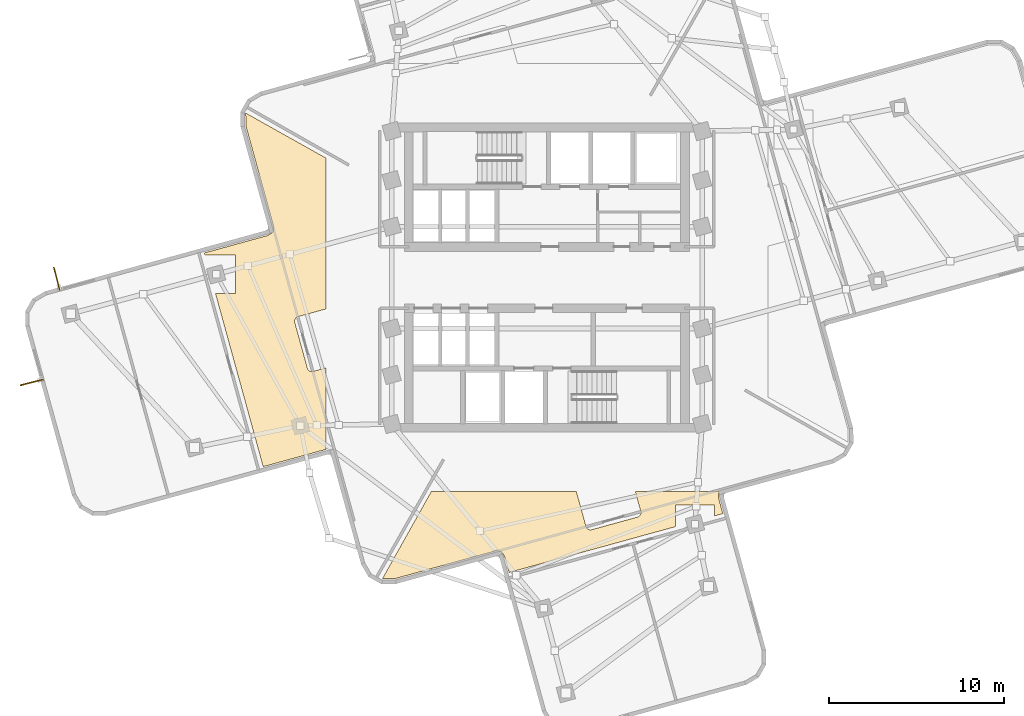
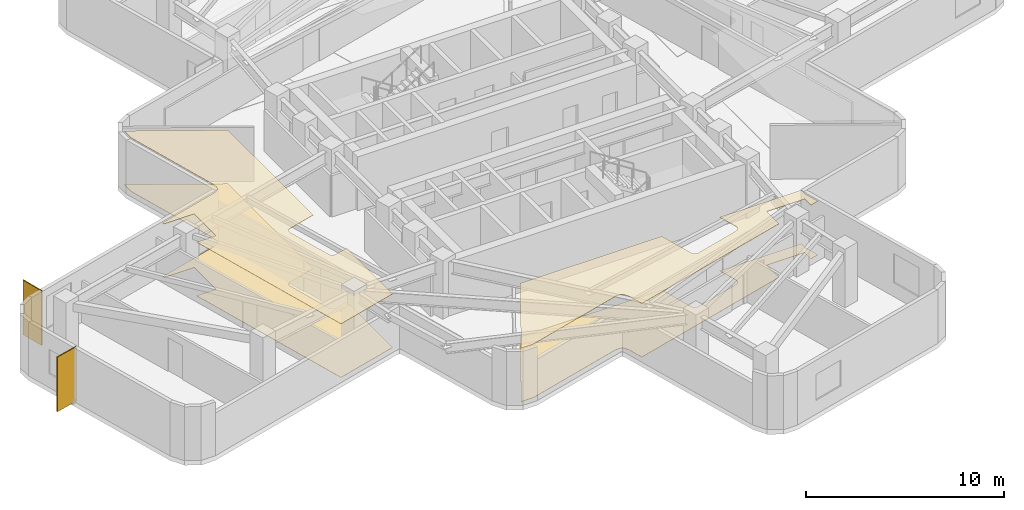
# One storey, part 6 of 8: 4 coverings, 2 shading devices.
"""IFC4 building model written with IfcOpenShell, lengths in metres."""

from ifc_helpers import new_model, si_unit, direction, frame, origin, origin_2d, place, context, subcontext, project, spatial, polyline, rectangle, outline, extrude, material, layer, layer_set, type_object, element, save


model = new_model("IFC4")

# Units and contexts
model_context = context("Model", 3, precision=1e-05, world=origin(), true_north=direction((0.0, 1.0)))
body_context = subcontext(model_context, "Body", "Model", "MODEL_VIEW")
ifc_project = project(units=[si_unit("LENGTHUNIT", "METRE"), si_unit("AREAUNIT", "SQUARE_METRE"), si_unit("VOLUMEUNIT", "CUBIC_METRE"), si_unit("PLANEANGLEUNIT", "RADIAN"), si_unit("MASSUNIT", "GRAM", prefix="KILO")], contexts=[model_context])

# Site, building, storey
site_placement = place(None, origin())
site = spatial("IfcSite", under=ifc_project, at=site_placement, CompositionType="ELEMENT")
building_placement = place(site_placement, origin())
building = spatial("IfcBuilding", under=site, at=building_placement, Name="Solmarez Civic Tower", CompositionType="ELEMENT")
storey_placement = place(building_placement, frame((0.0, 0.0, 137.8798828125)))
storey = spatial("IfcBuildingStorey", under=building, at=storey_placement, Name="L36", CompositionType="ELEMENT", Elevation=137.8798828125)

# Coverings
ifc_material_1 = material(Name="Perforated Mineral-Fibre Acoustic Ceiling")
ifc_layer_1 = layer(ifc_material_1, 0.02490234375)
ifc_layer_set_1 = layer_set([ifc_layer_1], Name="Perforated Mineral-Fibre Acoustic Ceiling")
covering_type_1 = type_object("IfcCoveringType", Name="COV-CEIL-ACOUSTIC", PredefinedType="CEILING", material=ifc_layer_set_1)
covering_1_placement = place(storey_placement, frame((0.0, 0.0, 3.295166015625)))
element("IfcCovering", 1, at=covering_1_placement, inside=storey, type_object=covering_type_1, Name="L36 Suspended Acoustic Ceiling 1", PredefinedType="CEILING", context=body_context, shape_type="SweptSolid", body=[
    extrude(outline(polyline([(-16.177001953125, -10.782958984375), (-12.615966796875, -9.802001953125), (-12.60009765625, -9.798095703125), (-12.60009765625, -5.15087890625), (-13.327880859375, -5.35107421875), (-13.337890625, -5.35400390625), (-13.346923828125, -5.35595703125), (-13.37109375, -5.360107421875), (-13.39501953125, -5.361083984375), (-13.405029296875, -5.361083984375), (-13.427001953125, -5.360107421875), (-13.447998046875, -5.35693359375), (-13.452880859375, -5.35595703125), (-13.47998046875, -5.34912109375), (-13.489013671875, -5.345947265625), (-13.508056640625, -5.337890625), (-13.52587890625, -5.3291015625), (-13.534912109375, -5.323974609375), (-13.552001953125, -5.31396484375), (-13.568115234375, -5.301025390625), (-13.583984375, -5.2880859375), (-13.591064453125, -5.281005859375), (-13.60205078125, -5.26806640625), (-13.60791015625, -5.260986328125), (-13.6220703125, -5.243896484375), (-13.633056640625, -5.22509765625), (-13.637939453125, -5.216064453125), (-13.64794921875, -5.195068359375), (-13.656005859375, -5.174072265625), (-13.658935546875, -5.162109375), (-14.3759765625, -2.55908203125), (-14.37890625, -2.549072265625), (-14.381103515625, -2.5400390625), (-14.385009765625, -2.51611328125), (-14.385986328125, -2.491943359375), (-14.385986328125, -2.48193359375), (-14.385009765625, -2.4599609375), (-14.382080078125, -2.43896484375), (-14.381103515625, -2.43408203125), (-14.3740234375, -2.406982421875), (-14.37109375, -2.39794921875), (-14.363037109375, -2.37890625), (-14.35400390625, -2.361083984375), (-14.34912109375, -2.35205078125), (-14.339111328125, -2.3349609375), (-14.325927734375, -2.319091796875), (-14.31298828125, -2.302978515625), (-14.305908203125, -2.2958984375), (-14.29296875, -2.284912109375), (-14.285888671875, -2.279052734375), (-14.26904296875, -2.264892578125), (-14.25, -2.25390625), (-14.240966796875, -2.2490234375), (-14.219970703125, -2.239013671875), (-14.198974609375, -2.23095703125), (-14.18701171875, -2.22802734375), (-12.60009765625, -1.7900390625), (-12.60009765625, 6.81494140625), (-17.1689453125, 9.376953125), (-17.172119140625, 9.3720703125), (-17.1669921875, 8.662109375), (-15.611083984375, 3.013916015625), (-15.60888671875, 3.008056640625), (-15.60302734375, 2.97900390625), (-15.60205078125, 2.971923828125), (-15.60009765625, 2.94091796875), (-15.60009765625, 2.93505859375), (-15.59912109375, 2.761962890625), (-15.59912109375, 2.7548828125), (-15.60107421875, 2.72802734375), (-15.60205078125, 2.719970703125), (-15.60400390625, 2.702880859375), (-15.60791015625, 2.68701171875), (-15.611083984375, 2.678955078125), (-15.617919921875, 2.656005859375), (-15.626953125, 2.634033203125), (-15.6298828125, 2.6279296875), (-15.635986328125, 2.616943359375), (-15.639892578125, 2.610107421875), (-15.64990234375, 2.593994140625), (-15.660888671875, 2.5791015625), (-15.6689453125, 2.568115234375), (-15.68408203125, 2.552001953125), (-15.698974609375, 2.5380859375), (-15.7109375, 2.528076171875), (-15.72998046875, 2.513916015625), (-15.736083984375, 2.510009765625), (-15.7470703125, 2.5029296875), (-15.89111328125, 2.4189453125), (-15.907958984375, 2.408935546875), (-15.925048828125, 2.39990234375), (-15.943115234375, 2.39306640625), (-15.948974609375, 2.39111328125), (-15.958984375, 2.387939453125), (-15.968017578125, 2.385986328125), (-19.532958984375, 1.403076171875), (-19.5, 1.282958984375), (-17.760009765625, 1.282958984375), (-17.760009765625, -0.9169921875), (-18.89404296875, -0.9169921875), (-16.177001953125, -10.782958984375)])), origin(), (0.0, 0.0, 1.0), 0.02490234375),
])
covering_2_placement = place(storey_placement, frame((0.0, 0.0, 3.295166015625)))
element("IfcCovering", 2, at=covering_2_placement, inside=storey, type_object=covering_type_1, Name="L36 Suspended Acoustic Ceiling 3", PredefinedType="CEILING", context=body_context, shape_type="SweptSolid", body=[
    extrude(outline(polyline([(-2.5791015625, -15.660888671875), (-2.568115234375, -15.6689453125), (-2.552001953125, -15.68408203125), (-2.5380859375, -15.698974609375), (-2.528076171875, -15.7109375), (-2.513916015625, -15.72998046875), (-2.510009765625, -15.736083984375), (-2.5029296875, -15.7470703125), (-2.4189453125, -15.89111328125), (-2.408935546875, -15.907958984375), (-2.39990234375, -15.925048828125), (-2.39306640625, -15.943115234375), (-2.39111328125, -15.948974609375), (-2.387939453125, -15.958984375), (-2.385986328125, -15.968017578125), (-2.152099609375, -16.81494140625), (7.344970703125, -14.198974609375), (7.344970703125, -12.964111328125), (9.544921875, -12.964111328125), (9.544921875, -13.593017578125), (10.033935546875, -13.4580078125), (9.802001953125, -12.615966796875), (9.797119140625, -12.596923828125), (9.79296875, -12.576904296875), (9.7919921875, -12.570068359375), (9.7900390625, -12.5390625), (9.7900390625, -12.532958984375), (9.7890625, -12.360107421875), (9.7890625, -12.35205078125), (9.791015625, -12.321044921875), (9.7919921875, -12.31396484375), (9.797119140625, -12.2919921875), (9.799072265625, -12.283935546875), (9.800048828125, -12.277099609375), (9.802001953125, -12.27001953125), (9.81201171875, -12.242919921875), (9.81494140625, -12.236083984375), (9.825927734375, -12.214111328125), (9.830078125, -12.20703125), (9.833984375, -12.199951171875), (5.041015625, -12.199951171875), (5.35107421875, -13.327880859375), (5.35400390625, -13.337890625), (5.35595703125, -13.346923828125), (5.360107421875, -13.37109375), (5.361083984375, -13.39501953125), (5.361083984375, -13.405029296875), (5.360107421875, -13.427001953125), (5.35693359375, -13.447998046875), (5.35595703125, -13.452880859375), (5.34912109375, -13.47998046875), (5.345947265625, -13.489013671875), (5.337890625, -13.508056640625), (5.3291015625, -13.52587890625), (5.323974609375, -13.534912109375), (5.31396484375, -13.552001953125), (5.301025390625, -13.568115234375), (5.2880859375, -13.583984375), (5.281005859375, -13.591064453125), (5.26806640625, -13.60205078125), (5.260986328125, -13.60791015625), (5.243896484375, -13.6220703125), (5.22509765625, -13.633056640625), (5.216064453125, -13.637939453125), (5.195068359375, -13.64794921875), (5.174072265625, -13.656005859375), (5.162109375, -13.658935546875), (2.55908203125, -14.3759765625), (2.549072265625, -14.37890625), (2.5400390625, -14.381103515625), (2.51611328125, -14.385009765625), (2.491943359375, -14.385986328125), (2.48193359375, -14.385986328125), (2.4599609375, -14.385009765625), (2.43896484375, -14.382080078125), (2.43408203125, -14.381103515625), (2.406982421875, -14.3740234375), (2.39794921875, -14.37109375), (2.37890625, -14.363037109375), (2.361083984375, -14.35400390625), (2.35205078125, -14.34912109375), (2.3349609375, -14.339111328125), (2.319091796875, -14.325927734375), (2.302978515625, -14.31298828125), (2.2958984375, -14.305908203125), (2.284912109375, -14.29296875), (2.279052734375, -14.285888671875), (2.264892578125, -14.26904296875), (2.25390625, -14.25), (2.2490234375, -14.240966796875), (2.239013671875, -14.219970703125), (2.23095703125, -14.198974609375), (2.22802734375, -14.18701171875), (1.679931640625, -12.199951171875), (-6.590087890625, -12.199951171875), (-9.376953125, -17.1689453125), (-9.3720703125, -17.172119140625), (-8.662109375, -17.1669921875), (-3.013916015625, -15.611083984375), (-3.008056640625, -15.60888671875), (-2.97900390625, -15.60302734375), (-2.971923828125, -15.60205078125), (-2.94091796875, -15.60009765625), (-2.93505859375, -15.60009765625), (-2.761962890625, -15.59912109375), (-2.7548828125, -15.59912109375), (-2.72802734375, -15.60107421875), (-2.719970703125, -15.60205078125), (-2.702880859375, -15.60400390625), (-2.68701171875, -15.60791015625), (-2.678955078125, -15.611083984375), (-2.656005859375, -15.617919921875), (-2.634033203125, -15.626953125), (-2.6279296875, -15.6298828125), (-2.616943359375, -15.635986328125), (-2.610107421875, -15.639892578125), (-2.593994140625, -15.64990234375), (-2.5791015625, -15.660888671875)])), origin(), (0.0, 0.0, 1.0), 0.02490234375),
])
ifc_material_2 = material(Name="Polished Tropical Stone Terrazzo Flooring", Category="masonry")
ifc_layer_2 = layer(ifc_material_2, 0.02001953125)
ifc_layer_set_2 = layer_set([ifc_layer_2], Name="Polished Tropical Stone Terrazzo Flooring")
covering_type_2 = type_object("IfcCoveringType", Name="COV-FLOOR-TERRAZZO", PredefinedType="FLOORING", material=ifc_layer_set_2)
covering_3_placement = place(storey_placement, origin())
element("IfcCovering", 3, at=covering_3_placement, inside=storey, type_object=covering_type_2, Name="L36 Terrazzo Floor Finish 1", PredefinedType="FLOORING", context=body_context, shape_type="SweptSolid", body=[
    extrude(outline(polyline([(-16.177001953125, -10.782958984375), (-12.615966796875, -9.802001953125), (-12.60009765625, -9.798095703125), (-12.60009765625, -5.15087890625), (-13.327880859375, -5.35107421875), (-13.337890625, -5.35400390625), (-13.346923828125, -5.35595703125), (-13.37109375, -5.360107421875), (-13.39501953125, -5.361083984375), (-13.405029296875, -5.361083984375), (-13.427001953125, -5.360107421875), (-13.447998046875, -5.35693359375), (-13.452880859375, -5.35595703125), (-13.47998046875, -5.34912109375), (-13.489013671875, -5.345947265625), (-13.508056640625, -5.337890625), (-13.52587890625, -5.3291015625), (-13.534912109375, -5.323974609375), (-13.552001953125, -5.31396484375), (-13.568115234375, -5.301025390625), (-13.583984375, -5.2880859375), (-13.591064453125, -5.281005859375), (-13.60205078125, -5.26806640625), (-13.60791015625, -5.260986328125), (-13.6220703125, -5.243896484375), (-13.633056640625, -5.22509765625), (-13.637939453125, -5.216064453125), (-13.64794921875, -5.195068359375), (-13.656005859375, -5.174072265625), (-13.658935546875, -5.162109375), (-14.3759765625, -2.55908203125), (-14.37890625, -2.549072265625), (-14.381103515625, -2.5400390625), (-14.385009765625, -2.51611328125), (-14.385986328125, -2.491943359375), (-14.385986328125, -2.48193359375), (-14.385009765625, -2.4599609375), (-14.382080078125, -2.43896484375), (-14.381103515625, -2.43408203125), (-14.3740234375, -2.406982421875), (-14.37109375, -2.39794921875), (-14.363037109375, -2.37890625), (-14.35400390625, -2.361083984375), (-14.34912109375, -2.35205078125), (-14.339111328125, -2.3349609375), (-14.325927734375, -2.319091796875), (-14.31298828125, -2.302978515625), (-14.305908203125, -2.2958984375), (-14.29296875, -2.284912109375), (-14.285888671875, -2.279052734375), (-14.26904296875, -2.264892578125), (-14.25, -2.25390625), (-14.240966796875, -2.2490234375), (-14.219970703125, -2.239013671875), (-14.198974609375, -2.23095703125), (-14.18701171875, -2.22802734375), (-12.60009765625, -1.7900390625), (-12.60009765625, 6.81494140625), (-17.1689453125, 9.376953125), (-17.172119140625, 9.3720703125), (-17.1669921875, 8.662109375), (-15.611083984375, 3.013916015625), (-15.60888671875, 3.008056640625), (-15.60302734375, 2.97900390625), (-15.60205078125, 2.971923828125), (-15.60009765625, 2.94091796875), (-15.60009765625, 2.93505859375), (-15.59912109375, 2.761962890625), (-15.59912109375, 2.7548828125), (-15.60107421875, 2.72802734375), (-15.60205078125, 2.719970703125), (-15.60400390625, 2.702880859375), (-15.60791015625, 2.68701171875), (-15.611083984375, 2.678955078125), (-15.617919921875, 2.656005859375), (-15.626953125, 2.634033203125), (-15.6298828125, 2.6279296875), (-15.635986328125, 2.616943359375), (-15.639892578125, 2.610107421875), (-15.64990234375, 2.593994140625), (-15.660888671875, 2.5791015625), (-15.6689453125, 2.568115234375), (-15.68408203125, 2.552001953125), (-15.698974609375, 2.5380859375), (-15.7109375, 2.528076171875), (-15.72998046875, 2.513916015625), (-15.736083984375, 2.510009765625), (-15.7470703125, 2.5029296875), (-15.89111328125, 2.4189453125), (-15.907958984375, 2.408935546875), (-15.925048828125, 2.39990234375), (-15.943115234375, 2.39306640625), (-15.948974609375, 2.39111328125), (-15.958984375, 2.387939453125), (-15.968017578125, 2.385986328125), (-19.532958984375, 1.403076171875), (-19.5, 1.282958984375), (-17.760009765625, 1.282958984375), (-17.760009765625, -0.9169921875), (-18.89404296875, -0.9169921875), (-16.177001953125, -10.782958984375)])), origin(), (0.0, 0.0, 1.0), 0.02001953125),
])
covering_4_placement = place(storey_placement, origin())
element("IfcCovering", 4, at=covering_4_placement, inside=storey, type_object=covering_type_2, Name="L36 Terrazzo Floor Finish 3", PredefinedType="FLOORING", context=body_context, shape_type="SweptSolid", body=[
    extrude(outline(polyline([(-2.5791015625, -15.660888671875), (-2.568115234375, -15.6689453125), (-2.552001953125, -15.68408203125), (-2.5380859375, -15.698974609375), (-2.528076171875, -15.7109375), (-2.513916015625, -15.72998046875), (-2.510009765625, -15.736083984375), (-2.5029296875, -15.7470703125), (-2.4189453125, -15.89111328125), (-2.408935546875, -15.907958984375), (-2.39990234375, -15.925048828125), (-2.39306640625, -15.943115234375), (-2.39111328125, -15.948974609375), (-2.387939453125, -15.958984375), (-2.385986328125, -15.968017578125), (-2.152099609375, -16.81494140625), (7.344970703125, -14.198974609375), (7.344970703125, -12.964111328125), (9.544921875, -12.964111328125), (9.544921875, -13.593017578125), (10.033935546875, -13.4580078125), (9.802001953125, -12.615966796875), (9.797119140625, -12.596923828125), (9.79296875, -12.576904296875), (9.7919921875, -12.570068359375), (9.7900390625, -12.5390625), (9.7900390625, -12.532958984375), (9.7890625, -12.360107421875), (9.7890625, -12.35205078125), (9.791015625, -12.321044921875), (9.7919921875, -12.31396484375), (9.797119140625, -12.2919921875), (9.799072265625, -12.283935546875), (9.800048828125, -12.277099609375), (9.802001953125, -12.27001953125), (9.81201171875, -12.242919921875), (9.81494140625, -12.236083984375), (9.825927734375, -12.214111328125), (9.830078125, -12.20703125), (9.833984375, -12.199951171875), (5.041015625, -12.199951171875), (5.35107421875, -13.327880859375), (5.35400390625, -13.337890625), (5.35595703125, -13.346923828125), (5.360107421875, -13.37109375), (5.361083984375, -13.39501953125), (5.361083984375, -13.405029296875), (5.360107421875, -13.427001953125), (5.35693359375, -13.447998046875), (5.35595703125, -13.452880859375), (5.34912109375, -13.47998046875), (5.345947265625, -13.489013671875), (5.337890625, -13.508056640625), (5.3291015625, -13.52587890625), (5.323974609375, -13.534912109375), (5.31396484375, -13.552001953125), (5.301025390625, -13.568115234375), (5.2880859375, -13.583984375), (5.281005859375, -13.591064453125), (5.26806640625, -13.60205078125), (5.260986328125, -13.60791015625), (5.243896484375, -13.6220703125), (5.22509765625, -13.633056640625), (5.216064453125, -13.637939453125), (5.195068359375, -13.64794921875), (5.174072265625, -13.656005859375), (5.162109375, -13.658935546875), (2.55908203125, -14.3759765625), (2.549072265625, -14.37890625), (2.5400390625, -14.381103515625), (2.51611328125, -14.385009765625), (2.491943359375, -14.385986328125), (2.48193359375, -14.385986328125), (2.4599609375, -14.385009765625), (2.43896484375, -14.382080078125), (2.43408203125, -14.381103515625), (2.406982421875, -14.3740234375), (2.39794921875, -14.37109375), (2.37890625, -14.363037109375), (2.361083984375, -14.35400390625), (2.35205078125, -14.34912109375), (2.3349609375, -14.339111328125), (2.319091796875, -14.325927734375), (2.302978515625, -14.31298828125), (2.2958984375, -14.305908203125), (2.284912109375, -14.29296875), (2.279052734375, -14.285888671875), (2.264892578125, -14.26904296875), (2.25390625, -14.25), (2.2490234375, -14.240966796875), (2.239013671875, -14.219970703125), (2.23095703125, -14.198974609375), (2.22802734375, -14.18701171875), (1.679931640625, -12.199951171875), (-6.590087890625, -12.199951171875), (-9.376953125, -17.1689453125), (-9.3720703125, -17.172119140625), (-8.662109375, -17.1669921875), (-3.013916015625, -15.611083984375), (-3.008056640625, -15.60888671875), (-2.97900390625, -15.60302734375), (-2.971923828125, -15.60205078125), (-2.94091796875, -15.60009765625), (-2.93505859375, -15.60009765625), (-2.761962890625, -15.59912109375), (-2.7548828125, -15.59912109375), (-2.72802734375, -15.60107421875), (-2.719970703125, -15.60205078125), (-2.702880859375, -15.60400390625), (-2.68701171875, -15.60791015625), (-2.678955078125, -15.611083984375), (-2.656005859375, -15.617919921875), (-2.634033203125, -15.626953125), (-2.6279296875, -15.6298828125), (-2.616943359375, -15.635986328125), (-2.610107421875, -15.639892578125), (-2.593994140625, -15.64990234375), (-2.5791015625, -15.660888671875)])), origin(), (0.0, 0.0, 1.0), 0.02001953125),
])

# Shading devices
ifc_material_3 = material(Name="Bronze Anodised Aluminium EN AW-6063 T6", Category="aluminium")
ifc_layer_3 = layer(ifc_material_3, 0.06005859375)
ifc_layer_set_3 = layer_set([ifc_layer_3], Name="Bronze Anodised Aluminium EN AW-6063 T6")
shading_device_type = type_object("IfcShadingDeviceType", Name="FIN-BRONZE-Z34", PredefinedType="USERDEFINED", material=ifc_layer_set_3)
for number, where, z_axis, x_axis, name in (
    (5, (-29.382080078125, -5.97998046875, -0.0400390625), (0.0, 0.0, 1.0), (-0.968570138429, -0.24874060172, 0.0), "L36 Anodised Bronze Solar Fin FIN-L36-01"),
    (6, (-27.945068359375, -0.069091796875, -0.0400390625), (0.0, 0.0, 1.0), (-0.248723696944, 0.968574479624, 0.0), "L36 Anodised Bronze Solar Fin FIN-L36-02"),
):
    element("IfcShadingDevice", number, at=place(storey_placement, frame(where, z_axis=z_axis, x_axis=x_axis)), inside=storey, type_object=shading_device_type, Name=name, ObjectType="FIN", PredefinedType="USERDEFINED", context=body_context, shape_type="SweptSolid", body=[
        extrude(rectangle(XDim=1.35009765625, YDim=0.06005859375, at=origin_2d()), origin(), (0.0, 0.0, 1.0), 3.360107421875),
    ])

save(model, "model.ifc")
